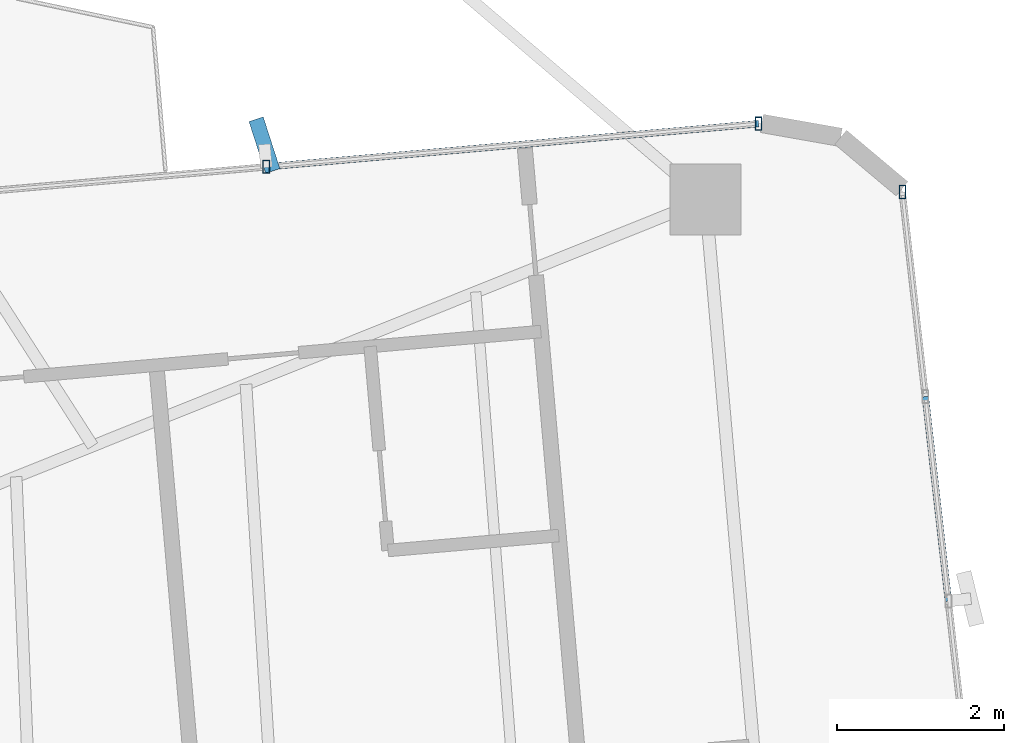
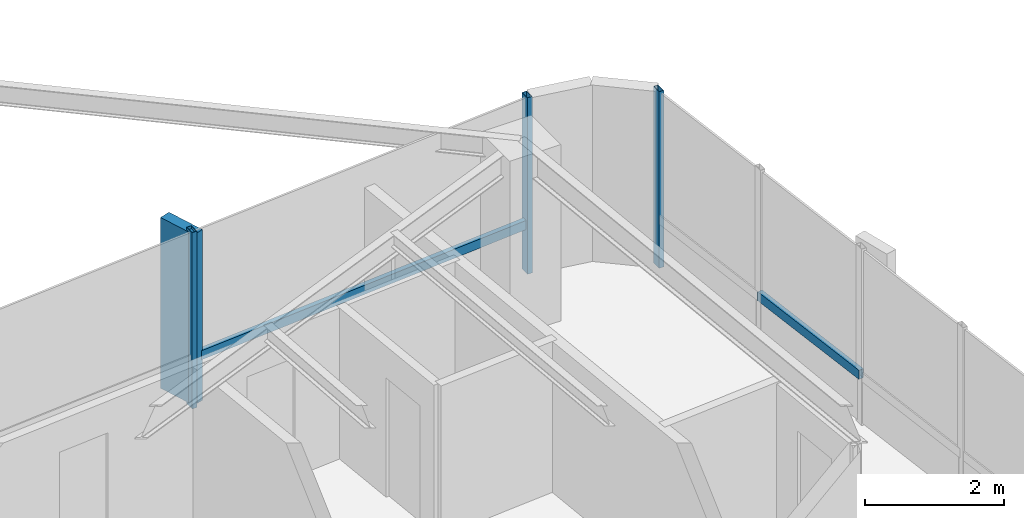
# One storey, part 15 of 24: 6 members, 2 elements without a shape of their own.
"""IFC4 building model written with IfcOpenShell, lengths in metres."""

from ifc_helpers import new_model, si_unit, direction, frame, origin, origin_2d, place, context, subcontext, project, spatial, rectangle, hollow_rectangle, extrude, source, transform, mapped, material, material_profile, profile_set, type_object, element, aggregate, save


model = new_model("IFC4")

# Units and contexts
model_context = context("Model", 3, precision=1e-05, world=origin(), true_north=direction((0.0, 1.0)))
body_context = subcontext(model_context, "Body", "Model", "MODEL_VIEW")
ifc_project = project(units=[si_unit("LENGTHUNIT", "METRE"), si_unit("AREAUNIT", "SQUARE_METRE"), si_unit("VOLUMEUNIT", "CUBIC_METRE"), si_unit("PLANEANGLEUNIT", "RADIAN"), si_unit("MASSUNIT", "GRAM", prefix="KILO")], contexts=[model_context])

# Site, building, storey
site_placement = place(None, origin())
site = spatial("IfcSite", under=ifc_project, at=site_placement, CompositionType="ELEMENT")
building_placement = place(site_placement, origin())
building = spatial("IfcBuilding", under=site, at=building_placement, Name="Sahyath Konkavel Grand Hotel", CompositionType="ELEMENT")
storey_placement = place(building_placement, frame((0.0, 0.0, 178.550048828125)))
storey = spatial("IfcBuildingStorey", under=building, at=storey_placement, Name="L49", CompositionType="ELEMENT", Elevation=178.550048828125)

# Curtain wall, member
ifc_material_1 = material(Name="Anodised Bronze Aluminium & Low-E Glazing", Category="aluminium")
curtain_wall_type = type_object("IfcCurtainWallType", Name="CW-ZONE3", PredefinedType="NOTDEFINED", material=ifc_material_1)
curtain_wall_1_placement = place(storey_placement, origin())
curtain_wall_1 = element("IfcCurtainWall", 1, at=curtain_wall_1_placement, inside=storey, type_object=curtain_wall_type, Name="L49 Unitised Curtain Wall F4", PredefinedType="NOTDEFINED")
ifc_material_2 = material(Name="Anodised Bronze Aluminium", Category="aluminium")
ifc_material_profile_1 = material_profile(ifc_material_2, hollow_rectangle(XDim=0.080078125, YDim=0.159912109375, WallThickness=0.006103515625, at=origin_2d()), Name="RHS 160x80x6")
ifc_profile_set_1 = profile_set([ifc_material_profile_1], Name="Anodised Bronze Aluminium")
member_type_1 = type_object("IfcMemberType", Name="CW-MUL-160", PredefinedType="MULLION", material=ifc_profile_set_1)
shared_shape_1 = source(origin(), body_context, "Body", "SweptSolid", [
    extrude(hollow_rectangle(XDim=0.080078125, YDim=0.159912109375, WallThickness=0.006103515625, at=origin_2d()), origin(), (0.0, 0.0, 1.0), 3.10986328125),
])
member_1_placement = place(storey_placement, frame((19.308349609375, 7.094970703125, 0.0), z_axis=(0.0, 0.0, 1.0), x_axis=(1.0, 0.0, 0.0)))
member_1 = element("IfcMember", 2, at=member_1_placement, type_object=member_type_1, Name="L49 Curtain Wall Mullion F4-4", PredefinedType="MULLION", context=body_context, shape_type="MappedRepresentation", body=[
    mapped(shared_shape_1, transform((0.0, 0.0, 0.0), scale=1.0)),
])

# Curtain wall, members
curtain_wall_2_placement = place(storey_placement, origin())
curtain_wall_2 = element("IfcCurtainWall", 3, at=curtain_wall_2_placement, inside=storey, type_object=curtain_wall_type, Name="L49 Unitised Curtain Wall F7", PredefinedType="NOTDEFINED")
member_2_placement = place(storey_placement, frame((17.58740234375, 7.912841796875, 0.0), z_axis=(0.0, 0.0, 1.0), x_axis=(1.0, 0.0, 0.0)))
member_2 = element("IfcMember", 4, at=member_2_placement, type_object=member_type_1, Name="L49 Curtain Wall Mullion F7-0", PredefinedType="MULLION", context=body_context, shape_type="MappedRepresentation", body=[
    mapped(shared_shape_1, transform((0.0, 0.0, 0.0), scale=1.0)),
])
member_3_placement = place(storey_placement, frame((11.69970703125, 7.39794921875, 0.0), z_axis=(0.0, 0.0, 1.0), x_axis=(1.0, 0.0, 0.0)))
member_3 = element("IfcMember", 5, at=member_3_placement, type_object=member_type_1, Name="L49 Curtain Wall Mullion F7-1", PredefinedType="MULLION", context=body_context, shape_type="MappedRepresentation", body=[
    mapped(shared_shape_1, transform((0.0, 0.0, 0.0), scale=1.0)),
])
ifc_material_3 = material(Name="Warm Buff Sandstone Cladding on Concrete C50/60", Category="masonry")
ifc_material_profile_2 = material_profile(ifc_material_3, rectangle(XDim=0.179931640625, YDim=0.64990234375, at=origin_2d()), Name="FIN 180x650")
ifc_profile_set_2 = profile_set([ifc_material_profile_2], Name="Warm Buff Sandstone Cladding on Concrete C50/60")
member_type_2 = type_object("IfcMemberType", Name="FIN-SANDSTONE-650", PredefinedType="MULLION", material=ifc_profile_set_2)
shared_shape_2 = source(origin(), body_context, "Body", "SweptSolid", [
    extrude(rectangle(XDim=0.179931640625, YDim=0.64990234375, at=origin_2d()), origin(), (0.0, 0.0, 1.0), 3.010009765625),
])
member_4_placement = place(storey_placement, frame((11.677001953125, 7.656982421875, 0.050048828125), z_axis=(0.0, 0.0, 1.0), x_axis=(0.951487058208, 0.307688768178, 0.0)))
member_4 = element("IfcMember", 6, at=member_4_placement, type_object=member_type_2, Name="L49 Sandstone Vertical Solar Fin FIN F7-1", PredefinedType="MULLION", context=body_context, shape_type="MappedRepresentation", body=[
    mapped(shared_shape_2, transform((0.0, 0.0, 0.0), scale=1.0)),
])

# Member
ifc_material_profile_3 = material_profile(ifc_material_2, hollow_rectangle(XDim=0.080078125, YDim=0.159912109375, WallThickness=0.006103515625, at=origin_2d()), Name="RHS 160x80x6")
ifc_profile_set_3 = profile_set([ifc_material_profile_3], Name="Anodised Bronze Aluminium")
member_type_3 = type_object("IfcMemberType", Name="CW-TRN-160", PredefinedType="USERDEFINED", material=ifc_profile_set_3)
shared_shape_3 = source(origin(), body_context, "Body", "SweptSolid", [
    extrude(hollow_rectangle(XDim=0.080078125, YDim=0.159912109375, WallThickness=0.006103515625, at=origin_2d()), origin(), (0.0, 0.0, 1.0), 2.461669921875),
])
member_5_placement = place(storey_placement, frame((19.859619140625, 2.201904296875, 0.849853515625), z_axis=(-0.111966154832, 0.993712020744, 0.0), x_axis=(-0.993712020744, -0.111966154832, 0.0)))
member_5 = element("IfcMember", 7, at=member_5_placement, type_object=member_type_3, Name="L49 Curtain Wall Transom F4-2-spandrel", ObjectType="TRANSOM", PredefinedType="USERDEFINED", context=body_context, shape_type="MappedRepresentation", body=[
    mapped(shared_shape_3, transform((0.0, 0.0, 0.0), scale=1.0)),
])

aggregate(curtain_wall_1, [member_1, member_5])

shared_shape_4 = source(origin(), body_context, "Body", "SweptSolid", [
    extrude(hollow_rectangle(XDim=0.080078125, YDim=0.159912109375, WallThickness=0.006103515625, at=origin_2d()), origin(), (0.0, 0.0, 1.0), 5.91015625),
])
member_6_placement = place(storey_placement, frame((17.58740234375, 7.912841796875, 0.849853515625), z_axis=(-0.996197841474, -0.087119806256, 0.0), x_axis=(0.087119806256, -0.996197841474, 0.0)))
member_6 = element("IfcMember", 8, at=member_6_placement, type_object=member_type_3, Name="L49 Curtain Wall Transom F7-0-spandrel", ObjectType="TRANSOM", PredefinedType="USERDEFINED", context=body_context, shape_type="MappedRepresentation", body=[
    mapped(shared_shape_4, transform((0.0, 0.0, 0.0), scale=1.0)),
])

aggregate(curtain_wall_2, [member_2, member_3, member_4, member_6])

save(model, "model.ifc")
